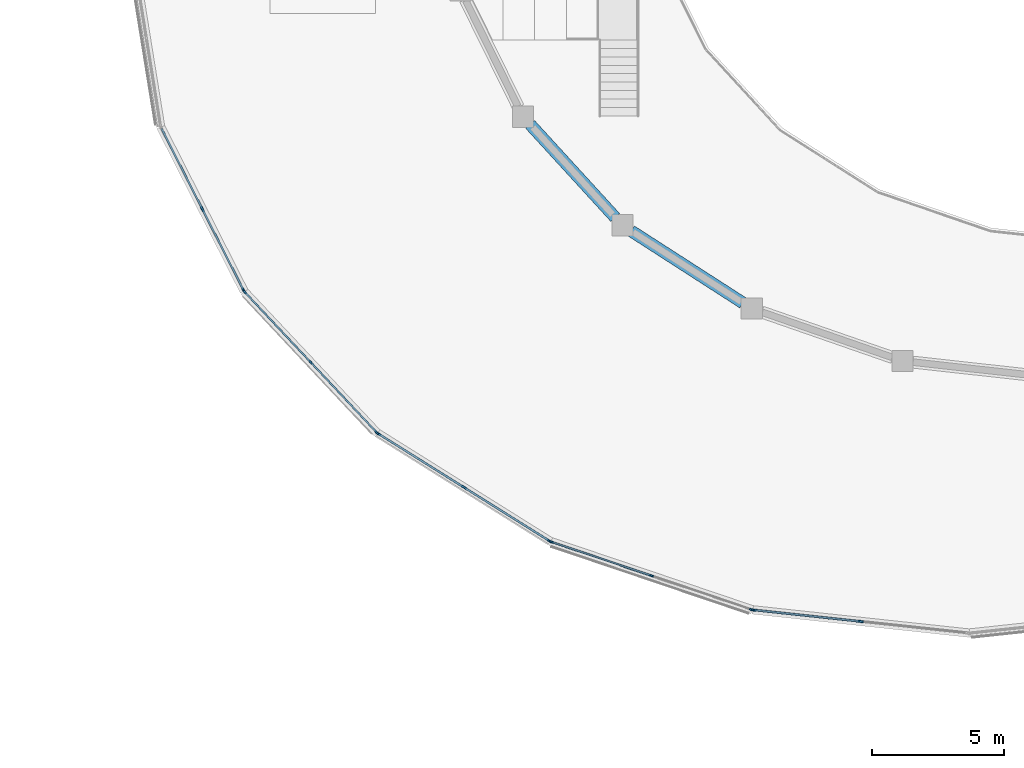
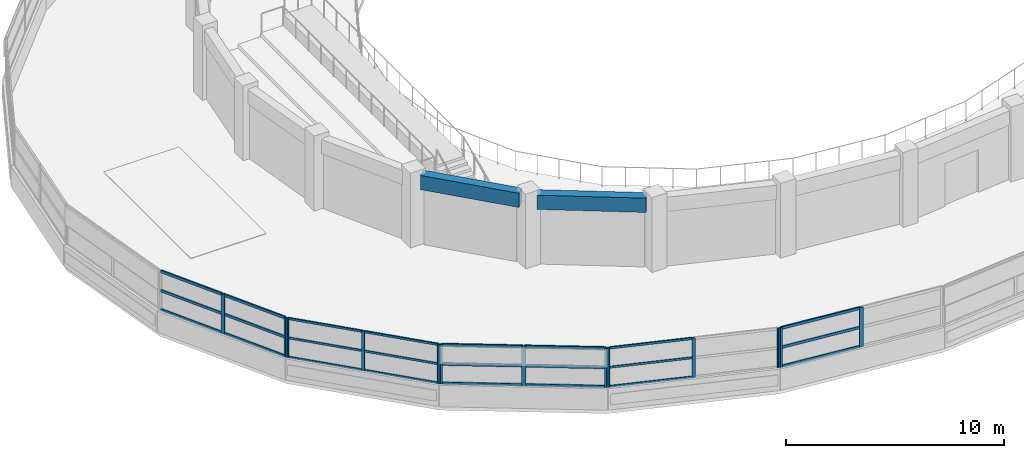
# One storey, part 10 of 54: 37 members, 2 beams, 5 elements without a shape of their own.
"""IFC4 building model written with IfcOpenShell, lengths in metres."""

from ifc_helpers import new_model, si_unit, direction, frame, origin, origin_2d, place, context, subcontext, project, spatial, rectangle, extrude, material, material_profile, profile_set, type_object, element, aggregate, save


model = new_model("IFC4")

# Units and contexts
model_context = context("Model", 3, precision=1e-05, world=origin(), true_north=direction((0.0, 1.0)))
body_context = subcontext(model_context, "Body", "Model", "MODEL_VIEW")
ifc_project = project(units=[si_unit("LENGTHUNIT", "METRE"), si_unit("AREAUNIT", "SQUARE_METRE"), si_unit("VOLUMEUNIT", "CUBIC_METRE"), si_unit("PLANEANGLEUNIT", "RADIAN"), si_unit("MASSUNIT", "GRAM", prefix="KILO")], contexts=[model_context])

# Site, building, storey
site_placement = place(None, origin())
site = spatial("IfcSite", under=ifc_project, at=site_placement, CompositionType="ELEMENT")
building_placement = place(site_placement, origin())
building = spatial("IfcBuilding", under=site, at=building_placement, Name="Parian Resonance Hall", CompositionType="ELEMENT")
storey_placement = place(building_placement, frame((0.0, 0.0, 15.0)))
storey = spatial("IfcBuildingStorey", under=building, at=storey_placement, Name="L03", CompositionType="ELEMENT", Elevation=15.0)

# Beams
ifc_material_1 = material(Name="Concrete C40/50", Category="concrete")
ifc_material_profile_1 = material_profile(ifc_material_1, rectangle(XDim=0.449951171875, YDim=0.800048828125, at=origin_2d()), Name="RC-BM-450x800")
ifc_profile_set_1 = profile_set([ifc_material_profile_1], Name="Concrete C40/50")
beam_type = type_object("IfcBeamType", Name="BM-RC450x800", PredefinedType="USERDEFINED", material=ifc_profile_set_1)
beam_1_placement = place(storey_placement, frame((23.831787109375, 33.8046875, 3.530029296875), z_axis=(0.674892190981, -0.737916343872, 0.0), x_axis=(0.737916343872, 0.674892190981, 0.0)))
element("IfcBeam", 1, at=beam_1_placement, inside=storey, type_object=beam_type, Name="Concert hall drum ring beam L03-15", ObjectType="GIRDER", PredefinedType="USERDEFINED", context=body_context, shape_type="SweptSolid", body=[
    extrude(rectangle(XDim=0.449951171875, YDim=0.800048828125, at=origin_2d()), origin(), (0.0, 0.0, 1.0), 4.757080078125),
])
beam_2_placement = place(storey_placement, frame((27.648681640625, 29.78271484375, 3.530029296875), z_axis=(0.840822266108, -0.541311293819, 0.0), x_axis=(0.541311293819, 0.840822266108, 0.0)))
element("IfcBeam", 2, at=beam_2_placement, inside=storey, type_object=beam_type, Name="Concert hall drum ring beam L03-16", ObjectType="GIRDER", PredefinedType="USERDEFINED", context=body_context, shape_type="SweptSolid", body=[
    extrude(rectangle(XDim=0.449951171875, YDim=0.800048828125, at=origin_2d()), origin(), (0.0, 0.0, 1.0), 5.012939453125),
])

# Curtain wall, members
ifc_material_2 = material(Name="Bronze-anodised aluminium frame", Category="aluminium")
curtain_wall_type_1 = type_object("IfcCurtainWallType", Name="CW-SYS-05", PredefinedType="NOTDEFINED", material=ifc_material_2)
curtain_wall_1_placement = place(storey_placement, origin())
curtain_wall_1 = element("IfcCurtainWall", 3, at=curtain_wall_1_placement, inside=storey, type_object=curtain_wall_type_1, Name="Elliptical R3 recessed strip curtain wall 15", PredefinedType="NOTDEFINED")
ifc_material_3 = material(Name="Bronze-anodised aluminium frame", Category="aluminium")
ifc_material_profile_2 = material_profile(ifc_material_3, rectangle(XDim=0.06494140625, YDim=0.159912109375, at=origin_2d()), Name="CWM-65x160")
ifc_profile_set_2 = profile_set([ifc_material_profile_2], Name="Bronze-anodised aluminium frame")
member_type_1 = type_object("IfcMemberType", Name="CWM-65x160", PredefinedType="MULLION", material=ifc_profile_set_2)
member_1_placement = place(storey_placement, frame((18.033203125, 22.18017578125, 1.19189453125), z_axis=(0.0, 0.0, 1.0), x_axis=(-0.728695449283, -0.684837894829, 0.0)))
member_1 = element("IfcMember", 4, at=member_1_placement, type_object=member_type_1, Name="CW-05 mullion 1", PredefinedType="MULLION", context=body_context, shape_type="SweptSolid", body=[
    extrude(rectangle(XDim=0.06494140625, YDim=0.159912109375, at=origin_2d()), origin(), (0.0, 0.0, 1.0), 2.218017578125),
])
member_2_placement = place(storey_placement, frame((15.54443359375, 24.828369140625, 1.19189453125), z_axis=(0.0, 0.0, 1.0), x_axis=(-0.728695449283, -0.684837894829, 0.0)))
member_2 = element("IfcMember", 5, at=member_2_placement, type_object=member_type_1, Name="CW-05 mullion 2", PredefinedType="MULLION", context=body_context, shape_type="SweptSolid", body=[
    extrude(rectangle(XDim=0.06494140625, YDim=0.159912109375, at=origin_2d()), origin(), (0.0, 0.0, 1.0), 2.218017578125),
])
member_3_placement = place(storey_placement, frame((13.055908203125, 27.476318359375, 1.19189453125), z_axis=(0.0, 0.0, 1.0), x_axis=(-0.728695449283, -0.684837894829, 0.0)))
member_3 = element("IfcMember", 6, at=member_3_placement, type_object=member_type_1, Name="CW-05 mullion 3", PredefinedType="MULLION", context=body_context, shape_type="SweptSolid", body=[
    extrude(rectangle(XDim=0.06494140625, YDim=0.159912109375, at=origin_2d()), origin(), (0.0, 0.0, 1.0), 2.218017578125),
])

ifc_material_4 = material(Name="Bronze-anodised aluminium frame", Category="aluminium")
curtain_wall_type_2 = type_object("IfcCurtainWallType", Name="CW-SYS-01", PredefinedType="NOTDEFINED", material=ifc_material_4)
curtain_wall_2_placement = place(storey_placement, origin())
curtain_wall_2 = element("IfcCurtainWall", 7, at=curtain_wall_2_placement, inside=storey, type_object=curtain_wall_type_2, Name="Elliptical R3 recessed strip curtain wall 17", PredefinedType="NOTDEFINED")
member_4_placement = place(storey_placement, frame((32.1904296875, 15.489501953125, 1.19189453125), z_axis=(0.0, 0.0, 1.0), x_axis=(-0.320360084104, -0.947295844239, 0.0)))
member_4 = element("IfcMember", 8, at=member_4_placement, type_object=member_type_1, Name="CW-01 mullion 1", PredefinedType="MULLION", context=body_context, shape_type="SweptSolid", body=[
    extrude(rectangle(XDim=0.06494140625, YDim=0.159912109375, at=origin_2d()), origin(), (0.0, 0.0, 1.0), 2.218017578125),
])
member_5_placement = place(storey_placement, frame((28.41064453125, 16.767822265625, 1.19189453125), z_axis=(0.0, 0.0, 1.0), x_axis=(-0.320360084104, -0.947295844239, 0.0)))
member_5 = element("IfcMember", 9, at=member_5_placement, type_object=member_type_1, Name="CW-01 mullion 2", PredefinedType="MULLION", context=body_context, shape_type="SweptSolid", body=[
    extrude(rectangle(XDim=0.06494140625, YDim=0.159912109375, at=origin_2d()), origin(), (0.0, 0.0, 1.0), 2.218017578125),
])
member_6_placement = place(storey_placement, frame((24.630859375, 18.046142578125, 1.19189453125), z_axis=(0.0, 0.0, 1.0), x_axis=(-0.320360084104, -0.947295844239, 0.0)))
member_6 = element("IfcMember", 10, at=member_6_placement, type_object=member_type_1, Name="CW-01 mullion 3", PredefinedType="MULLION", context=body_context, shape_type="SweptSolid", body=[
    extrude(rectangle(XDim=0.06494140625, YDim=0.159912109375, at=origin_2d()), origin(), (0.0, 0.0, 1.0), 2.218017578125),
])

ifc_material_5 = material(Name="Bronze-anodised aluminium frame", Category="aluminium")
curtain_wall_type_3 = type_object("IfcCurtainWallType", Name="CW-SYS-04", PredefinedType="NOTDEFINED", material=ifc_material_5)
curtain_wall_3_placement = place(storey_placement, origin())
curtain_wall_3 = element("IfcCurtainWall", 11, at=curtain_wall_3_placement, inside=storey, type_object=curtain_wall_type_3, Name="Elliptical R3 recessed strip curtain wall 14", PredefinedType="NOTDEFINED")
ifc_material_6 = material(Name="Bronze-anodised aluminium frame", Category="aluminium")
ifc_material_profile_3 = material_profile(ifc_material_6, rectangle(XDim=0.074951171875, YDim=0.199951171875, at=origin_2d()), Name="CWM-75x200")
ifc_profile_set_3 = profile_set([ifc_material_profile_3], Name="Bronze-anodised aluminium frame")
member_type_2 = type_object("IfcMemberType", Name="CWM-75x200", PredefinedType="MULLION", material=ifc_profile_set_3)
member_7_placement = place(storey_placement, frame((13.0166015625, 27.533447265625, 1.19189453125), z_axis=(0.0, 0.0, 1.0), x_axis=(-0.891794894252, -0.452439903839, 0.0)))
member_7 = element("IfcMember", 12, at=member_7_placement, type_object=member_type_2, Name="CW-04 mullion 1", PredefinedType="MULLION", context=body_context, shape_type="SweptSolid", body=[
    extrude(rectangle(XDim=0.074951171875, YDim=0.199951171875, at=origin_2d()), origin(), (0.0, 0.0, 1.0), 2.218017578125),
])
member_8_placement = place(storey_placement, frame((11.455078125, 30.611328125, 1.19189453125), z_axis=(0.0, 0.0, 1.0), x_axis=(-0.891794894252, -0.452439903839, 0.0)))
member_8 = element("IfcMember", 13, at=member_8_placement, type_object=member_type_2, Name="CW-04 mullion 2", PredefinedType="MULLION", context=body_context, shape_type="SweptSolid", body=[
    extrude(rectangle(XDim=0.074951171875, YDim=0.199951171875, at=origin_2d()), origin(), (0.0, 0.0, 1.0), 2.218017578125),
])

ifc_material_7 = material(Name="Bronze-anodised aluminium frame", Category="aluminium")
curtain_wall_type_4 = type_object("IfcCurtainWallType", Name="CW-SYS-06", PredefinedType="NOTDEFINED", material=ifc_material_7)
curtain_wall_4_placement = place(storey_placement, origin())
curtain_wall_4 = element("IfcCurtainWall", 14, at=curtain_wall_4_placement, inside=storey, type_object=curtain_wall_type_4, Name="Elliptical R3 recessed strip curtain wall 16", PredefinedType="NOTDEFINED")
member_9_placement = place(storey_placement, frame((24.568115234375, 18.076416015625, 1.19189453125), z_axis=(0.0, 0.0, 1.0), x_axis=(-0.530904164532, -0.847431866337, 0.0)))
member_9 = element("IfcMember", 15, at=member_9_placement, type_object=member_type_2, Name="CW-06 mullion 1", PredefinedType="MULLION", context=body_context, shape_type="SweptSolid", body=[
    extrude(rectangle(XDim=0.074951171875, YDim=0.199951171875, at=origin_2d()), origin(), (0.0, 0.0, 1.0), 2.218017578125),
])
member_10_placement = place(storey_placement, frame((21.32763671875, 20.1064453125, 1.19189453125), z_axis=(0.0, 0.0, 1.0), x_axis=(-0.530904164532, -0.847431866337, 0.0)))
member_10 = element("IfcMember", 16, at=member_10_placement, type_object=member_type_2, Name="CW-06 mullion 2", PredefinedType="MULLION", context=body_context, shape_type="SweptSolid", body=[
    extrude(rectangle(XDim=0.074951171875, YDim=0.199951171875, at=origin_2d()), origin(), (0.0, 0.0, 1.0), 2.218017578125),
])
member_11_placement = place(storey_placement, frame((18.087158203125, 22.13671875, 1.19189453125), z_axis=(0.0, 0.0, 1.0), x_axis=(-0.530904164532, -0.847431866337, 0.0)))
member_11 = element("IfcMember", 17, at=member_11_placement, type_object=member_type_2, Name="CW-06 mullion 3", PredefinedType="MULLION", context=body_context, shape_type="SweptSolid", body=[
    extrude(rectangle(XDim=0.074951171875, YDim=0.199951171875, at=origin_2d()), origin(), (0.0, 0.0, 1.0), 2.218017578125),
])

ifc_material_8 = material(Name="Bronze-anodised aluminium frame", Category="aluminium")
curtain_wall_type_5 = type_object("IfcCurtainWallType", Name="CW-SYS-02", PredefinedType="NOTDEFINED", material=ifc_material_8)
curtain_wall_5_placement = place(storey_placement, origin())
curtain_wall_5 = element("IfcCurtainWall", 18, at=curtain_wall_5_placement, inside=storey, type_object=curtain_wall_type_5, Name="Elliptical R3 recessed strip curtain wall 18", PredefinedType="NOTDEFINED")
member_12_placement = place(storey_placement, frame((36.310546875, 15.03955078125, 1.19189453125), z_axis=(0.0, 0.0, 1.0), x_axis=(-0.106870934025, -0.994272901904, 0.0)))
member_12 = element("IfcMember", 19, at=member_12_placement, type_object=member_type_2, Name="CW-02 mullion 2", PredefinedType="MULLION", context=body_context, shape_type="SweptSolid", body=[
    extrude(rectangle(XDim=0.074951171875, YDim=0.199951171875, at=origin_2d()), origin(), (0.0, 0.0, 1.0), 2.218017578125),
])
member_13_placement = place(storey_placement, frame((32.258544921875, 15.47509765625, 1.19189453125), z_axis=(0.0, 0.0, 1.0), x_axis=(-0.106870934025, -0.994272901904, 0.0)))
member_13 = element("IfcMember", 20, at=member_13_placement, type_object=member_type_2, Name="CW-02 mullion 3", PredefinedType="MULLION", context=body_context, shape_type="SweptSolid", body=[
    extrude(rectangle(XDim=0.074951171875, YDim=0.199951171875, at=origin_2d()), origin(), (0.0, 0.0, 1.0), 2.218017578125),
])

# Member
ifc_material_9 = material(Name="Bronze-anodised aluminium frame", Category="aluminium")
ifc_material_profile_4 = material_profile(ifc_material_9, rectangle(XDim=0.06494140625, YDim=0.1201171875, at=origin_2d()), Name="CWT-65x120")
ifc_profile_set_4 = profile_set([ifc_material_profile_4], Name="Bronze-anodised aluminium frame")
member_type_3 = type_object("IfcMemberType", Name="CWT-65x120", PredefinedType="USERDEFINED", material=ifc_profile_set_4)
member_14_placement = place(storey_placement, frame((18.010986328125, 22.203857421875, 1.224609375), z_axis=(-0.684843913254, 0.728689793038, 0.0), x_axis=(-0.728689793038, -0.684843913254, 0.0)))
member_14 = element("IfcMember", 21, at=member_14_placement, type_object=member_type_3, Name="CW-05 transom 1.1", ObjectType="TRANSOM", PredefinedType="USERDEFINED", context=body_context, shape_type="SweptSolid", body=[
    extrude(rectangle(XDim=0.06494140625, YDim=0.1201171875, at=origin_2d()), origin(), (0.0, 0.0, 1.0), 3.569091796875),
])

member_15_placement = place(storey_placement, frame((18.010986328125, 22.203857421875, 2.300048828125), z_axis=(-0.684843913254, 0.728689793038, 0.0), x_axis=(-0.728689793038, -0.684843913254, 0.0)))
member_15 = element("IfcMember", 22, at=member_15_placement, type_object=member_type_3, Name="CW-05 transom 1.2", ObjectType="TRANSOM", PredefinedType="USERDEFINED", context=body_context, shape_type="SweptSolid", body=[
    extrude(rectangle(XDim=0.06494140625, YDim=0.1201171875, at=origin_2d()), origin(), (0.0, 0.0, 1.0), 3.569091796875),
])

member_16_placement = place(storey_placement, frame((18.010986328125, 22.203857421875, 3.37744140625), z_axis=(-0.684843913254, 0.728689793038, 0.0), x_axis=(-0.728689793038, -0.684843913254, 0.0)))
member_16 = element("IfcMember", 23, at=member_16_placement, type_object=member_type_3, Name="CW-05 transom 1.3", ObjectType="TRANSOM", PredefinedType="USERDEFINED", context=body_context, shape_type="SweptSolid", body=[
    extrude(rectangle(XDim=0.06494140625, YDim=0.1201171875, at=origin_2d()), origin(), (0.0, 0.0, 1.0), 3.569091796875),
])

member_17_placement = place(storey_placement, frame((15.522216796875, 24.85205078125, 1.224609375), z_axis=(-0.684841727583, 0.72869184719, 0.0), x_axis=(-0.72869184719, -0.684841727583, 0.0)))
member_17 = element("IfcMember", 24, at=member_17_placement, type_object=member_type_3, Name="CW-05 transom 2.1", ObjectType="TRANSOM", PredefinedType="USERDEFINED", context=body_context, shape_type="SweptSolid", body=[
    extrude(rectangle(XDim=0.06494140625, YDim=0.1201171875, at=origin_2d()), origin(), (0.0, 0.0, 1.0), 3.56884765625),
])

member_18_placement = place(storey_placement, frame((15.522216796875, 24.85205078125, 2.300048828125), z_axis=(-0.684841727583, 0.72869184719, 0.0), x_axis=(-0.72869184719, -0.684841727583, 0.0)))
member_18 = element("IfcMember", 25, at=member_18_placement, type_object=member_type_3, Name="CW-05 transom 2.2", ObjectType="TRANSOM", PredefinedType="USERDEFINED", context=body_context, shape_type="SweptSolid", body=[
    extrude(rectangle(XDim=0.06494140625, YDim=0.1201171875, at=origin_2d()), origin(), (0.0, 0.0, 1.0), 3.56884765625),
])

member_19_placement = place(storey_placement, frame((15.522216796875, 24.85205078125, 3.37744140625), z_axis=(-0.684841727583, 0.72869184719, 0.0), x_axis=(-0.72869184719, -0.684841727583, 0.0)))
member_19 = element("IfcMember", 26, at=member_19_placement, type_object=member_type_3, Name="CW-05 transom 2.3", ObjectType="TRANSOM", PredefinedType="USERDEFINED", context=body_context, shape_type="SweptSolid", body=[
    extrude(rectangle(XDim=0.06494140625, YDim=0.1201171875, at=origin_2d()), origin(), (0.0, 0.0, 1.0), 3.56884765625),
])

aggregate(curtain_wall_1, [member_1, member_2, member_3, member_14, member_15, member_16, member_17, member_18, member_19])

member_20_placement = place(storey_placement, frame((28.3798828125, 16.7783203125, 1.224609375), z_axis=(-0.94730601585, 0.32033000536, 0.0), x_axis=(-0.32033000536, -0.94730601585, 0.0)))
member_20 = element("IfcMember", 27, at=member_20_placement, type_object=member_type_3, Name="CW-01 transom 2.1", ObjectType="TRANSOM", PredefinedType="USERDEFINED", context=body_context, shape_type="SweptSolid", body=[
    extrude(rectangle(XDim=0.06494140625, YDim=0.1201171875, at=origin_2d()), origin(), (0.0, 0.0, 1.0), 3.925048828125),
])

member_21_placement = place(storey_placement, frame((28.3798828125, 16.7783203125, 2.300048828125), z_axis=(-0.94730601585, 0.32033000536, 0.0), x_axis=(-0.32033000536, -0.94730601585, 0.0)))
member_21 = element("IfcMember", 28, at=member_21_placement, type_object=member_type_3, Name="CW-01 transom 2.2", ObjectType="TRANSOM", PredefinedType="USERDEFINED", context=body_context, shape_type="SweptSolid", body=[
    extrude(rectangle(XDim=0.06494140625, YDim=0.1201171875, at=origin_2d()), origin(), (0.0, 0.0, 1.0), 3.925048828125),
])

member_22_placement = place(storey_placement, frame((28.3798828125, 16.7783203125, 3.37744140625), z_axis=(-0.94730601585, 0.32033000536, 0.0), x_axis=(-0.32033000536, -0.94730601585, 0.0)))
member_22 = element("IfcMember", 29, at=member_22_placement, type_object=member_type_3, Name="CW-01 transom 2.3", ObjectType="TRANSOM", PredefinedType="USERDEFINED", context=body_context, shape_type="SweptSolid", body=[
    extrude(rectangle(XDim=0.06494140625, YDim=0.1201171875, at=origin_2d()), origin(), (0.0, 0.0, 1.0), 3.925048828125),
])

aggregate(curtain_wall_2, [member_4, member_5, member_6, member_20, member_21, member_22])

ifc_material_10 = material(Name="Bronze-anodised aluminium frame", Category="aluminium")
ifc_material_profile_5 = material_profile(ifc_material_10, rectangle(XDim=0.074951171875, YDim=0.14990234375, at=origin_2d()), Name="CWT-75x150")
ifc_profile_set_5 = profile_set([ifc_material_profile_5], Name="Bronze-anodised aluminium frame")
member_type_4 = type_object("IfcMemberType", Name="CWT-75x150", PredefinedType="USERDEFINED", material=ifc_profile_set_5)
member_23_placement = place(storey_placement, frame((12.999755859375, 27.56689453125, 1.2294921875), z_axis=(-0.452441149649, 0.891794262206, 0.0), x_axis=(-0.891794262206, -0.452441149649, 0.0)))
member_23 = element("IfcMember", 30, at=member_23_placement, type_object=member_type_4, Name="CW-04 transom 1.1", ObjectType="TRANSOM", PredefinedType="USERDEFINED", context=body_context, shape_type="SweptSolid", body=[
    extrude(rectangle(XDim=0.074951171875, YDim=0.14990234375, at=origin_2d()), origin(), (0.0, 0.0, 1.0), 3.376220703125),
])

member_24_placement = place(storey_placement, frame((12.999755859375, 27.56689453125, 2.300048828125), z_axis=(-0.452441149649, 0.891794262206, 0.0), x_axis=(-0.891794262206, -0.452441149649, 0.0)))
member_24 = element("IfcMember", 31, at=member_24_placement, type_object=member_type_4, Name="CW-04 transom 1.2", ObjectType="TRANSOM", PredefinedType="USERDEFINED", context=body_context, shape_type="SweptSolid", body=[
    extrude(rectangle(XDim=0.074951171875, YDim=0.14990234375, at=origin_2d()), origin(), (0.0, 0.0, 1.0), 3.376220703125),
])

member_25_placement = place(storey_placement, frame((12.999755859375, 27.56689453125, 3.37255859375), z_axis=(-0.452441149649, 0.891794262206, 0.0), x_axis=(-0.891794262206, -0.452441149649, 0.0)))
member_25 = element("IfcMember", 32, at=member_25_placement, type_object=member_type_4, Name="CW-04 transom 1.3", ObjectType="TRANSOM", PredefinedType="USERDEFINED", context=body_context, shape_type="SweptSolid", body=[
    extrude(rectangle(XDim=0.074951171875, YDim=0.14990234375, at=origin_2d()), origin(), (0.0, 0.0, 1.0), 3.376220703125),
])

member_26_placement = place(storey_placement, frame((11.438232421875, 30.644775390625, 1.2294921875), z_axis=(-0.452470327085, 0.891779458783, 0.0), x_axis=(-0.891779458783, -0.452470327085, 0.0)))
member_26 = element("IfcMember", 33, at=member_26_placement, type_object=member_type_4, Name="CW-04 transom 2.1", ObjectType="TRANSOM", PredefinedType="USERDEFINED", context=body_context, shape_type="SweptSolid", body=[
    extrude(rectangle(XDim=0.074951171875, YDim=0.14990234375, at=origin_2d()), origin(), (0.0, 0.0, 1.0), 3.376220703125),
])

member_27_placement = place(storey_placement, frame((11.438232421875, 30.644775390625, 2.300048828125), z_axis=(-0.452470327085, 0.891779458783, 0.0), x_axis=(-0.891779458783, -0.452470327085, 0.0)))
member_27 = element("IfcMember", 34, at=member_27_placement, type_object=member_type_4, Name="CW-04 transom 2.2", ObjectType="TRANSOM", PredefinedType="USERDEFINED", context=body_context, shape_type="SweptSolid", body=[
    extrude(rectangle(XDim=0.074951171875, YDim=0.14990234375, at=origin_2d()), origin(), (0.0, 0.0, 1.0), 3.376220703125),
])

member_28_placement = place(storey_placement, frame((11.438232421875, 30.644775390625, 3.37255859375), z_axis=(-0.452470327085, 0.891779458783, 0.0), x_axis=(-0.891779458783, -0.452470327085, 0.0)))
member_28 = element("IfcMember", 35, at=member_28_placement, type_object=member_type_4, Name="CW-04 transom 2.3", ObjectType="TRANSOM", PredefinedType="USERDEFINED", context=body_context, shape_type="SweptSolid", body=[
    extrude(rectangle(XDim=0.074951171875, YDim=0.14990234375, at=origin_2d()), origin(), (0.0, 0.0, 1.0), 3.376220703125),
])

aggregate(curtain_wall_3, [member_7, member_8, member_23, member_24, member_25, member_26, member_27, member_28])

member_29_placement = place(storey_placement, frame((24.536376953125, 18.096435546875, 1.2294921875), z_axis=(-0.847445395538, 0.530882568541, 0.0), x_axis=(-0.530882568541, -0.847445395538, 0.0)))
member_29 = element("IfcMember", 36, at=member_29_placement, type_object=member_type_4, Name="CW-06 transom 1.1", ObjectType="TRANSOM", PredefinedType="USERDEFINED", context=body_context, shape_type="SweptSolid", body=[
    extrude(rectangle(XDim=0.074951171875, YDim=0.14990234375, at=origin_2d()), origin(), (0.0, 0.0, 1.0), 3.7490234375),
])

member_30_placement = place(storey_placement, frame((24.536376953125, 18.096435546875, 2.300048828125), z_axis=(-0.847445395538, 0.530882568541, 0.0), x_axis=(-0.530882568541, -0.847445395538, 0.0)))
member_30 = element("IfcMember", 37, at=member_30_placement, type_object=member_type_4, Name="CW-06 transom 1.2", ObjectType="TRANSOM", PredefinedType="USERDEFINED", context=body_context, shape_type="SweptSolid", body=[
    extrude(rectangle(XDim=0.074951171875, YDim=0.14990234375, at=origin_2d()), origin(), (0.0, 0.0, 1.0), 3.7490234375),
])

member_31_placement = place(storey_placement, frame((24.536376953125, 18.096435546875, 3.37255859375), z_axis=(-0.847445395538, 0.530882568541, 0.0), x_axis=(-0.530882568541, -0.847445395538, 0.0)))
member_31 = element("IfcMember", 38, at=member_31_placement, type_object=member_type_4, Name="CW-06 transom 1.3", ObjectType="TRANSOM", PredefinedType="USERDEFINED", context=body_context, shape_type="SweptSolid", body=[
    extrude(rectangle(XDim=0.074951171875, YDim=0.14990234375, at=origin_2d()), origin(), (0.0, 0.0, 1.0), 3.7490234375),
])

member_32_placement = place(storey_placement, frame((21.2958984375, 20.12646484375, 1.2294921875), z_axis=(-0.847445395538, 0.530882568541, 0.0), x_axis=(-0.530882568541, -0.847445395538, 0.0)))
member_32 = element("IfcMember", 39, at=member_32_placement, type_object=member_type_4, Name="CW-06 transom 2.1", ObjectType="TRANSOM", PredefinedType="USERDEFINED", context=body_context, shape_type="SweptSolid", body=[
    extrude(rectangle(XDim=0.074951171875, YDim=0.14990234375, at=origin_2d()), origin(), (0.0, 0.0, 1.0), 3.7490234375),
])

member_33_placement = place(storey_placement, frame((21.2958984375, 20.12646484375, 2.300048828125), z_axis=(-0.847445395538, 0.530882568541, 0.0), x_axis=(-0.530882568541, -0.847445395538, 0.0)))
member_33 = element("IfcMember", 40, at=member_33_placement, type_object=member_type_4, Name="CW-06 transom 2.2", ObjectType="TRANSOM", PredefinedType="USERDEFINED", context=body_context, shape_type="SweptSolid", body=[
    extrude(rectangle(XDim=0.074951171875, YDim=0.14990234375, at=origin_2d()), origin(), (0.0, 0.0, 1.0), 3.7490234375),
])

member_34_placement = place(storey_placement, frame((21.2958984375, 20.12646484375, 3.37255859375), z_axis=(-0.847445395538, 0.530882568541, 0.0), x_axis=(-0.530882568541, -0.847445395538, 0.0)))
member_34 = element("IfcMember", 41, at=member_34_placement, type_object=member_type_4, Name="CW-06 transom 2.3", ObjectType="TRANSOM", PredefinedType="USERDEFINED", context=body_context, shape_type="SweptSolid", body=[
    extrude(rectangle(XDim=0.074951171875, YDim=0.14990234375, at=origin_2d()), origin(), (0.0, 0.0, 1.0), 3.7490234375),
])

aggregate(curtain_wall_4, [member_9, member_10, member_11, member_29, member_30, member_31, member_32, member_33, member_34])

member_35_placement = place(storey_placement, frame((36.2734375, 15.04345703125, 1.2294921875), z_axis=(-0.994267520767, 0.106920985538, 0.0), x_axis=(-0.106920985538, -0.994267520767, 0.0)))
member_35 = element("IfcMember", 42, at=member_35_placement, type_object=member_type_4, Name="CW-02 transom 2.1", ObjectType="TRANSOM", PredefinedType="USERDEFINED", context=body_context, shape_type="SweptSolid", body=[
    extrude(rectangle(XDim=0.074951171875, YDim=0.14990234375, at=origin_2d()), origin(), (0.0, 0.0, 1.0), 4.00048828125),
])

member_36_placement = place(storey_placement, frame((36.2734375, 15.04345703125, 2.300048828125), z_axis=(-0.994267520767, 0.106920985538, 0.0), x_axis=(-0.106920985538, -0.994267520767, 0.0)))
member_36 = element("IfcMember", 43, at=member_36_placement, type_object=member_type_4, Name="CW-02 transom 2.2", ObjectType="TRANSOM", PredefinedType="USERDEFINED", context=body_context, shape_type="SweptSolid", body=[
    extrude(rectangle(XDim=0.074951171875, YDim=0.14990234375, at=origin_2d()), origin(), (0.0, 0.0, 1.0), 4.00048828125),
])

member_37_placement = place(storey_placement, frame((36.2734375, 15.04345703125, 3.37255859375), z_axis=(-0.994267520767, 0.106920985538, 0.0), x_axis=(-0.106920985538, -0.994267520767, 0.0)))
member_37 = element("IfcMember", 44, at=member_37_placement, type_object=member_type_4, Name="CW-02 transom 2.3", ObjectType="TRANSOM", PredefinedType="USERDEFINED", context=body_context, shape_type="SweptSolid", body=[
    extrude(rectangle(XDim=0.074951171875, YDim=0.14990234375, at=origin_2d()), origin(), (0.0, 0.0, 1.0), 4.00048828125),
])

aggregate(curtain_wall_5, [member_12, member_13, member_35, member_36, member_37])

save(model, "model.ifc")
